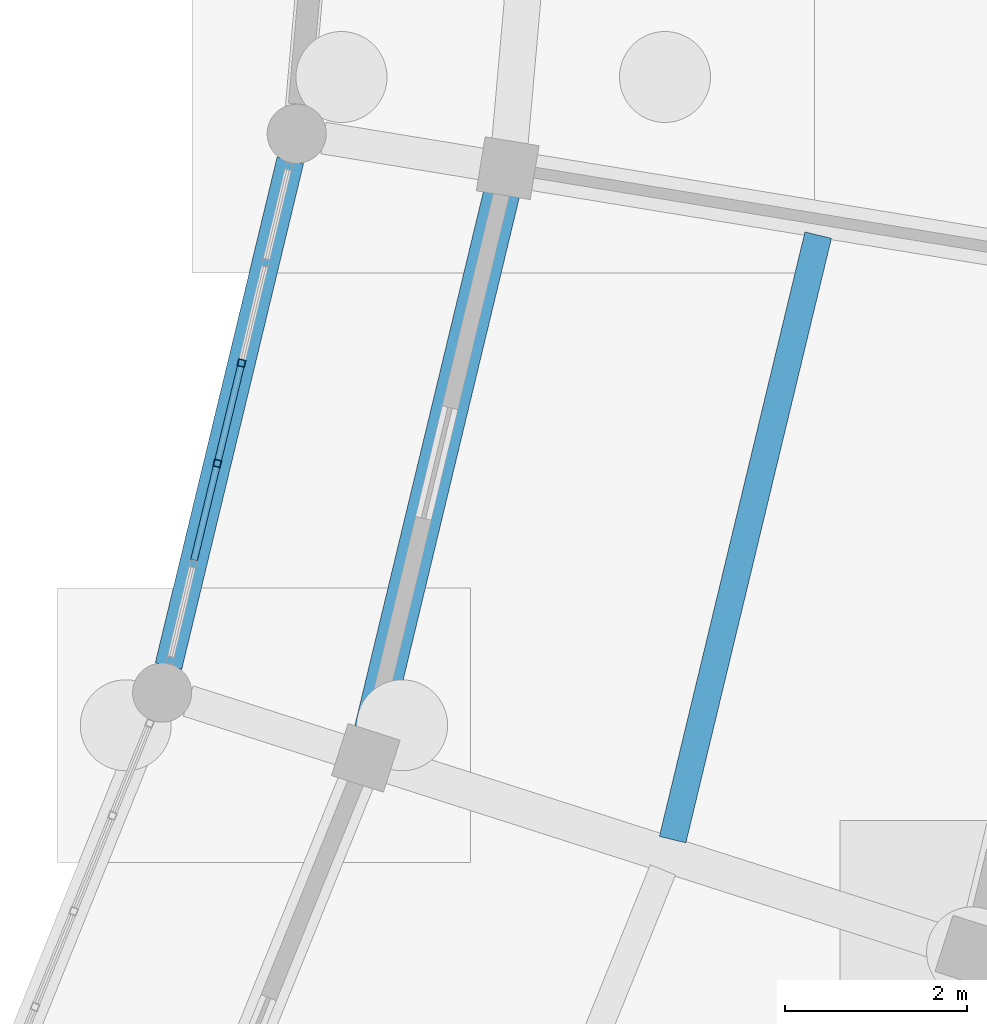
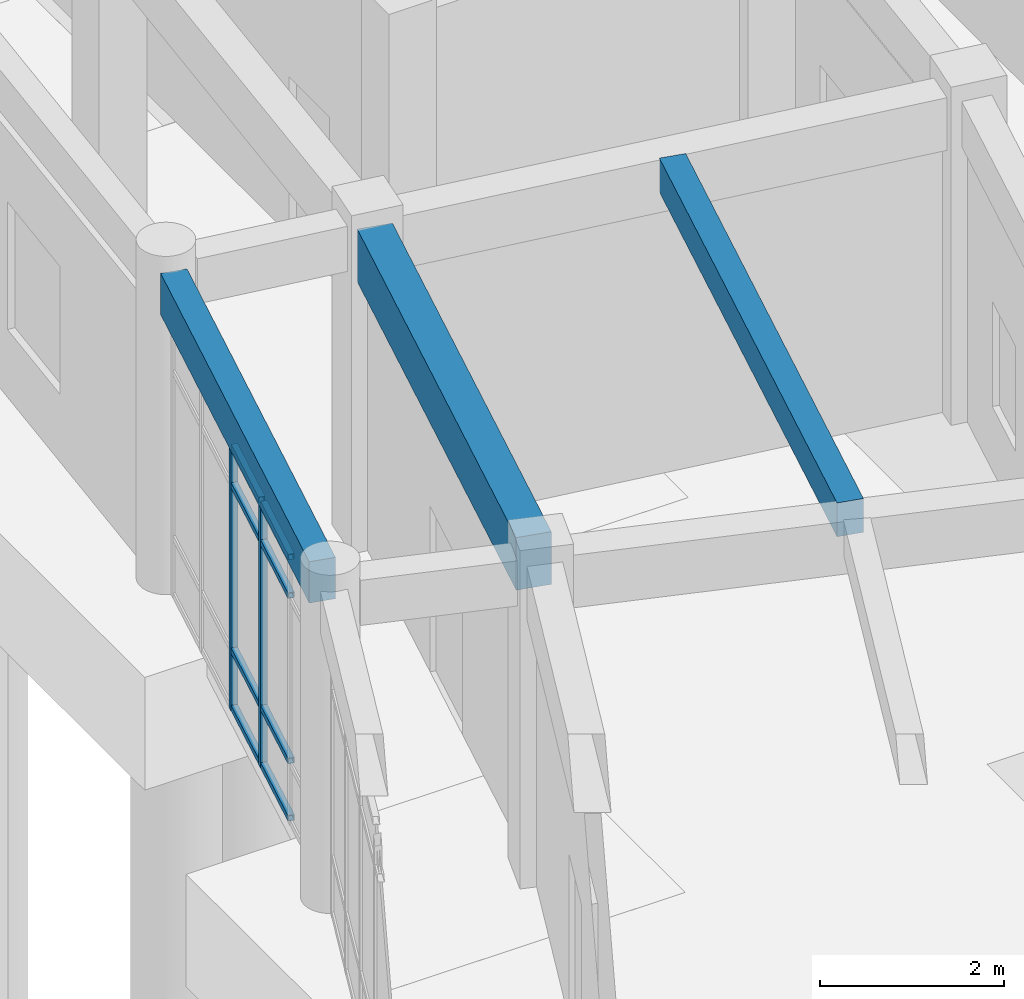
# One storey, part 85 of 153: 10 members, 3 beams, 1 element without a shape of its own.
"""IFC4 building model written with IfcOpenShell, lengths in metres."""

import ifcopenshell
import ifcopenshell.guid

model = None  # the IFC model being written
_history = None  # IfcOwnerHistory: only IFC2X3 demands one
_inside = {}  # id of a spatial element -> (the spatial element, [elements in it])
_under = {}  # id of a project, library or spatial element -> (it, [spatial elements below it])
_declared = {}  # id of a project -> (the project, [libraries it declares])
_typed = {}  # id of a type object -> (the type object, [elements of that type])
_made_of = {}  # id of a material, layer set ... -> (it, [elements and type objects made of it])


def new_model(schema):
    """Start an empty IFC model of exactly this schema.

    Asked for "IFC4X3", IfcOpenShell would pick the latest addendum, in which some entities
    have other attributes; the version numbers below select the first issue.
    IFC2X3 requires an IfcOwnerHistory on every rooted entity: one is made here for all.
    """
    global model, _history
    if schema == "IFC4X3":
        model = ifcopenshell.file(schema_version=(4, 3, 0, 0))
    else:
        model = ifcopenshell.file(schema=schema)
    _inside.clear()
    _under.clear()
    _declared.clear()
    _typed.clear()
    _made_of.clear()
    _history = None
    if model.schema == "IFC2X3":
        org = make("IfcOrganization", Name="unknown")
        user = make(
            "IfcPersonAndOrganization",
            ThePerson=make("IfcPerson", FamilyName="unknown"),
            TheOrganization=org,
        )
        app = make(
            "IfcApplication",
            ApplicationDeveloper=org,
            Version="unknown",
            ApplicationFullName="unknown",
            ApplicationIdentifier="unknown",
        )
        _history = make(
            "IfcOwnerHistory",
            OwningUser=user,
            OwningApplication=app,
            ChangeAction="ADDED",
            CreationDate=0,
        )
    return model


def make(cls, **values):
    """One entity of the class cls with the attributes given. An attribute that is None is left unset."""
    return model.create_entity(
        cls, **{name: value for name, value in values.items() if value is not None}
    )


def rooted(cls, **values):
    """An entity with a GlobalId (a new one), such as an element, a storey or a relation."""
    return make(cls, GlobalId=ifcopenshell.guid.new(), OwnerHistory=_history, **values)


def si_unit(unit_type, name, prefix=None):
    """IfcSIUnit, for example si_unit("LENGTHUNIT", "METRE", prefix="MILLI")."""
    return make("IfcSIUnit", UnitType=unit_type, Prefix=prefix, Name=name)


def assignment(units):
    """IfcUnitAssignment: the units of a project."""
    return None if units is None else make("IfcUnitAssignment", Units=units)


def point(xyz):
    """IfcCartesianPoint."""
    return None if xyz is None else make("IfcCartesianPoint", Coordinates=xyz)


def direction(xyz):
    """IfcDirection."""
    return None if xyz is None else make("IfcDirection", DirectionRatios=xyz)


def frame(location, z_axis=None, x_axis=None):
    """IfcAxis2Placement3D, a coordinate frame: its origin and axes. An axis left out is left unset."""
    return make(
        "IfcAxis2Placement3D",
        Location=point(location),
        Axis=direction(z_axis),
        RefDirection=direction(x_axis),
    )


def frame_2d(location, x_axis=None):
    """IfcAxis2Placement2D, a coordinate frame in the plane: its origin and x axis."""
    return make(
        "IfcAxis2Placement2D", Location=point(location), RefDirection=direction(x_axis)
    )


def origin():
    """The frame at (0, 0, 0) with its axes left unset."""
    return frame((0.0, 0.0, 0.0))


def origin_2d():
    """The frame at (0, 0) in the plane with its x axis left unset."""
    return frame_2d((0.0, 0.0))


def place(relative_to, where):
    """IfcLocalPlacement: puts the frame where relative to a parent placement (None: the world)."""
    return make(
        "IfcLocalPlacement", PlacementRelTo=relative_to, RelativePlacement=where
    )


def context(
    kind, dimensions, precision=None, world=None, true_north=None, identifier=None
):
    """IfcGeometricRepresentationContext, for example the 3D "Model" context."""
    return make(
        "IfcGeometricRepresentationContext",
        ContextIdentifier=identifier,
        ContextType=kind,
        CoordinateSpaceDimension=dimensions,
        Precision=precision,
        WorldCoordinateSystem=world,
        TrueNorth=true_north,
    )


def subcontext(parent, identifier, kind, view, scale=None):
    """IfcGeometricRepresentationSubContext, for example "Body" below "Model"."""
    return make(
        "IfcGeometricRepresentationSubContext",
        ContextIdentifier=identifier,
        ContextType=kind,
        ParentContext=parent,
        TargetScale=scale,
        TargetView=view,
    )


def project(units=None, contexts=None):
    """IfcProject with its units and contexts."""
    return rooted(
        "IfcProject",
        Name="project",
        RepresentationContexts=contexts,
        UnitsInContext=assignment(units),
    )


def spatial(cls, under=None, at=None, **own):
    """A site, building, storey or space (cls), placed at a placement, below another one or the project."""
    s = rooted(cls, ObjectPlacement=at, **own)
    if under is not None:
        _under.setdefault(under.id(), (under, []))[1].append(s)
    return s


def profile(cls, at=None, kind="AREA", **sizes):
    """A parametric profile (cls). Its sizes go by their IFC names, for example OverallWidth=200.0."""
    return make(cls, ProfileType=kind, Position=at, **sizes)


def rectangle(**sizes):
    """IfcRectangleProfileDef."""
    return profile("IfcRectangleProfileDef", **sizes)


def hollow_rectangle(**sizes):
    """IfcRectangleHollowProfileDef."""
    return profile("IfcRectangleHollowProfileDef", **sizes)


def extrude(swept, where, along, depth):
    """IfcExtrudedAreaSolid: the profile swept, set in the frame where, extruded along a direction by depth."""
    return make(
        "IfcExtrudedAreaSolid",
        SweptArea=swept,
        Position=where,
        ExtrudedDirection=direction(along),
        Depth=depth,
    )


def shape(context_of_items, identifier, shape_type, items):
    """IfcShapeRepresentation: the items that make up one representation, for example the "Body"."""
    return make(
        "IfcShapeRepresentation",
        ContextOfItems=context_of_items,
        RepresentationIdentifier=identifier,
        RepresentationType=shape_type,
        Items=items,
    )


def material(Name=None, Category=None):
    """IfcMaterial."""
    return make("IfcMaterial", Name=Name, Category=Category)


def material_profile(
    of_material, cross_section, Name=None, Category=None, Priority=None
):
    """IfcMaterialProfile: a cross section and its material."""
    return make(
        "IfcMaterialProfile",
        Name=Name,
        Material=of_material,
        Profile=cross_section,
        Priority=Priority,
        Category=Category,
    )


def profile_set(profiles, Name=None, composite=None):
    """IfcMaterialProfileSet."""
    return make(
        "IfcMaterialProfileSet",
        Name=Name,
        MaterialProfiles=profiles,
        CompositeProfile=composite,
    )


def made_of(thing, what):
    """Note that an element or type object is made of a material, layer set ...; save() writes the relation."""
    if what is not None:
        _made_of.setdefault(what.id(), (what, []))[1].append(thing)
    return thing


def type_object(cls, material=None, **own):
    """A type object (cls), such as IfcWallType, which elements share."""
    return made_of(rooted(cls, **own), material)


def element(
    cls,
    number,
    at=None,
    inside=None,
    cuts=None,
    type_object=None,
    material=None,
    context=None,
    identifier="Body",
    shape_type=None,
    held_by="IfcProductDefinitionShape",
    body=None,
    shapes=None,
    **own,
):
    """One element of the class cls, such as IfcWall. Its Tag is "e" and its number.

    at: its placement. inside: the storey or other place that contains it. cuts: it is an
    opening in that element (IfcRelVoidsElement). A single representation is given by context,
    identifier, shape_type and body (its items); several are given by shapes. held_by: the class
    of the entity that holds the representations. save() writes the other relations.
    """
    e = rooted(cls, Tag="e%d" % number, ObjectPlacement=at, **own)
    if body is not None:
        shapes = [shape(context, identifier, shape_type, body)]
    if shapes is not None:
        e.Representation = make(held_by, Representations=shapes)
    if inside is not None:
        _inside.setdefault(inside.id(), (inside, []))[1].append(e)
    if cuts is not None:
        rooted(
            "IfcRelVoidsElement", RelatingBuildingElement=cuts, RelatedOpeningElement=e
        )
    if type_object is not None:
        _typed.setdefault(type_object.id(), (type_object, []))[1].append(e)
    return made_of(e, material)


def aggregate(whole, parts):
    """IfcRelAggregates: a whole, such as a stair, and the parts it consists of."""
    return rooted("IfcRelAggregates", RelatingObject=whole, RelatedObjects=parts)


def save(model, path):
    """Write the relations noted so far, then the file.

    IfcRelAggregates (storeys below a building ...), IfcRelContainedInSpatialStructure (elements
    in a storey), IfcRelDefinesByType, IfcRelAssociatesMaterial and IfcRelDeclares: one each for
    every whole, place, type object, material and project.
    """
    for whole, parts in _under.values():
        aggregate(whole, parts)
    for where, things in _inside.values():
        rooted(
            "IfcRelContainedInSpatialStructure",
            RelatedElements=things,
            RelatingStructure=where,
        )
    for kind, things in _typed.values():
        rooted("IfcRelDefinesByType", RelatedObjects=things, RelatingType=kind)
    for what, things in _made_of.values():
        rooted("IfcRelAssociatesMaterial", RelatedObjects=things, RelatingMaterial=what)
    for by, libraries in _declared.values():
        rooted("IfcRelDeclares", RelatingContext=by, RelatedDefinitions=libraries)
    model.write(path)


model = new_model("IFC4")

# Units and contexts
model_context = context("Model", 3, precision=1e-05, world=origin(), true_north=direction((0.0, 1.0)))
body_context = subcontext(model_context, "Body", "Model", "MODEL_VIEW")
ifc_project = project(units=[si_unit("LENGTHUNIT", "METRE"), si_unit("AREAUNIT", "SQUARE_METRE"), si_unit("VOLUMEUNIT", "CUBIC_METRE"), si_unit("PLANEANGLEUNIT", "RADIAN"), si_unit("MASSUNIT", "GRAM", prefix="KILO")], contexts=[model_context])

# Site, building, storey
site_placement = place(None, origin())
site = spatial("IfcSite", under=ifc_project, at=site_placement, CompositionType="ELEMENT")
building_placement = place(site_placement, origin())
building = spatial("IfcBuilding", under=site, at=building_placement, Name="Celadon Cloister-Ring School", CompositionType="ELEMENT")
storey_placement = place(building_placement, origin())
storey = spatial("IfcBuildingStorey", under=building, at=storey_placement, Name="L00", CompositionType="ELEMENT", Elevation=0.0)

# Curtain wall, members
ifc_material_1 = material(Name="Aluminium EN AW-6063 T6", Category="aluminium")
curtain_wall_type = type_object("IfcCurtainWallType", Name="CW-01", PredefinedType="USERDEFINED", material=ifc_material_1)
curtain_wall_placement = place(storey_placement, origin())
curtain_wall = element("IfcCurtainWall", 1, at=curtain_wall_placement, inside=storey, type_object=curtain_wall_type, Name="Curtain Wall 0016", ObjectType="CURTAIN WALL", PredefinedType="USERDEFINED")
ifc_material_2 = material(Name="Aluminium EN AW-6063 T6", Category="aluminium")
ifc_material_profile_1 = material_profile(ifc_material_2, hollow_rectangle(XDim=0.080078125, YDim=0.080078125, WallThickness=0.00390625, at=origin_2d()), Name="RHS80X80X4")
ifc_profile_set_1 = profile_set([ifc_material_profile_1], Name="Aluminium EN AW-6063 T6")
member_type_1 = type_object("IfcMemberType", Name="CM-03", PredefinedType="MULLION", material=ifc_profile_set_1)
member_1_placement = place(storey_placement, frame((128.21875, 48.493408203125, 0.0), z_axis=(0.0, 0.0, 1.0), x_axis=(-0.972212485146, 0.234100157469, 0.0)))
member_1 = element("IfcMember", 2, at=member_1_placement, type_object=member_type_1, Name="CW-01 mullion 3", PredefinedType="MULLION", context=body_context, shape_type="SweptSolid", body=[
    extrude(hollow_rectangle(XDim=0.080078125, YDim=0.080078125, WallThickness=0.00390625, at=origin_2d()), origin(), (0.0, 0.0, 1.0), 3.550048828125),
])
member_2_placement = place(storey_placement, frame((128.484130859375, 49.595703125, 0.0), z_axis=(0.0, 0.0, 1.0), x_axis=(-0.972212485146, 0.234100157469, 0.0)))
member_2 = element("IfcMember", 3, at=member_2_placement, type_object=member_type_1, Name="CW-01 mullion 4", PredefinedType="MULLION", context=body_context, shape_type="SweptSolid", body=[
    extrude(hollow_rectangle(XDim=0.080078125, YDim=0.080078125, WallThickness=0.00390625, at=origin_2d()), origin(), (0.0, 0.0, 1.0), 3.550048828125),
])
ifc_material_3 = material(Name="Aluminium EN AW-6063 T6", Category="aluminium")
ifc_material_profile_2 = material_profile(ifc_material_3, hollow_rectangle(XDim=0.074951171875, YDim=0.074951171875, WallThickness=0.00390625, at=origin_2d()), Name="RHS75X75X4")
ifc_profile_set_2 = profile_set([ifc_material_profile_2], Name="Aluminium EN AW-6063 T6")
member_type_2 = type_object("IfcMemberType", Name="CTM-03", PredefinedType="USERDEFINED", material=ifc_profile_set_2)
member_3_placement = place(storey_placement, frame((127.962646484375, 47.43017578125, 0.03759765625), z_axis=(0.234240389333, 0.972178707854, 0.0), x_axis=(-0.972178707854, 0.234240389333, 0.0)))
member_3 = element("IfcMember", 4, at=member_3_placement, type_object=member_type_2, Name="CW-01 transom 2.1", ObjectType="TRANSOM", PredefinedType="USERDEFINED", context=body_context, shape_type="SweptSolid", body=[
    extrude(hollow_rectangle(XDim=0.074951171875, YDim=0.074951171875, WallThickness=0.00390625, at=origin_2d()), origin(), (0.0, 0.0, 1.0), 1.0537109375),
])
member_4_placement = place(storey_placement, frame((127.962646484375, 47.43017578125, 0.800048828125), z_axis=(0.234240389333, 0.972178707854, 0.0), x_axis=(-0.972178707854, 0.234240389333, 0.0)))
member_4 = element("IfcMember", 5, at=member_4_placement, type_object=member_type_2, Name="CW-01 transom 2.2", ObjectType="TRANSOM", PredefinedType="USERDEFINED", context=body_context, shape_type="SweptSolid", body=[
    extrude(hollow_rectangle(XDim=0.074951171875, YDim=0.074951171875, WallThickness=0.00390625, at=origin_2d()), origin(), (0.0, 0.0, 1.0), 1.0537109375),
])
member_5_placement = place(storey_placement, frame((127.962646484375, 47.43017578125, 3.0), z_axis=(0.234240389333, 0.972178707854, 0.0), x_axis=(-0.972178707854, 0.234240389333, 0.0)))
member_5 = element("IfcMember", 6, at=member_5_placement, type_object=member_type_2, Name="CW-01 transom 2.3", ObjectType="TRANSOM", PredefinedType="USERDEFINED", context=body_context, shape_type="SweptSolid", body=[
    extrude(hollow_rectangle(XDim=0.074951171875, YDim=0.074951171875, WallThickness=0.00390625, at=origin_2d()), origin(), (0.0, 0.0, 1.0), 1.0537109375),
])
member_6_placement = place(storey_placement, frame((127.962646484375, 47.43017578125, 3.512451171875), z_axis=(0.234240389333, 0.972178707854, 0.0), x_axis=(-0.972178707854, 0.234240389333, 0.0)))
member_6 = element("IfcMember", 7, at=member_6_placement, type_object=member_type_2, Name="CW-01 transom 2.4", ObjectType="TRANSOM", PredefinedType="USERDEFINED", context=body_context, shape_type="SweptSolid", body=[
    extrude(hollow_rectangle(XDim=0.074951171875, YDim=0.074951171875, WallThickness=0.00390625, at=origin_2d()), origin(), (0.0, 0.0, 1.0), 1.0537109375),
])
member_7_placement = place(storey_placement, frame((128.228271484375, 48.5322265625, 0.03759765625), z_axis=(0.234021392325, 0.972231447719, 0.0), x_axis=(-0.972231447719, 0.234021392325, 0.0)))
member_7 = element("IfcMember", 8, at=member_7_placement, type_object=member_type_2, Name="CW-01 transom 3.1", ObjectType="TRANSOM", PredefinedType="USERDEFINED", context=body_context, shape_type="SweptSolid", body=[
    extrude(hollow_rectangle(XDim=0.074951171875, YDim=0.074951171875, WallThickness=0.00390625, at=origin_2d()), origin(), (0.0, 0.0, 1.0), 1.0537109375),
])
member_8_placement = place(storey_placement, frame((128.228271484375, 48.5322265625, 0.800048828125), z_axis=(0.234021392325, 0.972231447719, 0.0), x_axis=(-0.972231447719, 0.234021392325, 0.0)))
member_8 = element("IfcMember", 9, at=member_8_placement, type_object=member_type_2, Name="CW-01 transom 3.2", ObjectType="TRANSOM", PredefinedType="USERDEFINED", context=body_context, shape_type="SweptSolid", body=[
    extrude(hollow_rectangle(XDim=0.074951171875, YDim=0.074951171875, WallThickness=0.00390625, at=origin_2d()), origin(), (0.0, 0.0, 1.0), 1.0537109375),
])
member_9_placement = place(storey_placement, frame((128.228271484375, 48.5322265625, 3.0), z_axis=(0.234021392325, 0.972231447719, 0.0), x_axis=(-0.972231447719, 0.234021392325, 0.0)))
member_9 = element("IfcMember", 10, at=member_9_placement, type_object=member_type_2, Name="CW-01 transom 3.3", ObjectType="TRANSOM", PredefinedType="USERDEFINED", context=body_context, shape_type="SweptSolid", body=[
    extrude(hollow_rectangle(XDim=0.074951171875, YDim=0.074951171875, WallThickness=0.00390625, at=origin_2d()), origin(), (0.0, 0.0, 1.0), 1.0537109375),
])
member_10_placement = place(storey_placement, frame((128.228271484375, 48.5322265625, 3.512451171875), z_axis=(0.234021392325, 0.972231447719, 0.0), x_axis=(-0.972231447719, 0.234021392325, 0.0)))
member_10 = element("IfcMember", 11, at=member_10_placement, type_object=member_type_2, Name="CW-01 transom 3.4", ObjectType="TRANSOM", PredefinedType="USERDEFINED", context=body_context, shape_type="SweptSolid", body=[
    extrude(hollow_rectangle(XDim=0.074951171875, YDim=0.074951171875, WallThickness=0.00390625, at=origin_2d()), origin(), (0.0, 0.0, 1.0), 1.0537109375),
])
aggregate(curtain_wall, [member_1, member_2, member_3, member_4, member_5, member_6, member_7, member_8, member_9, member_10])

# Beams
ifc_material_4 = material(Name="Concrete C35/45", Category="concrete")
ifc_material_profile_3 = material_profile(ifc_material_4, rectangle(XDim=0.39990234375, YDim=0.699951171875, at=origin_2d()), Name="RC400X700")
ifc_profile_set_3 = profile_set([ifc_material_profile_3], Name="Concrete C35/45")
beam_type_1 = type_object("IfcBeamType", Name="GT-03", PredefinedType="USERDEFINED", material=ifc_profile_set_3)
beam_1_placement = place(storey_placement, frame((129.9140625, 45.52294921875, 3.929931640625), z_axis=(0.234083879197, 0.972216404665, 0.0), x_axis=(-0.972216404665, 0.234083879197, 0.0)))
element("IfcBeam", 12, at=beam_1_placement, inside=storey, type_object=beam_type_1, Name="Beam 0166", ObjectType="GIRDER", PredefinedType="USERDEFINED", context=body_context, shape_type="SweptSolid", body=[
    extrude(rectangle(XDim=0.39990234375, YDim=0.699951171875, at=origin_2d()), origin(), (0.0, 0.0, 1.0), 6.116943359375),
])
ifc_material_5 = material(Name="Concrete C35/45", Category="concrete")
ifc_material_profile_4 = material_profile(ifc_material_5, rectangle(XDim=0.300048828125, YDim=0.449951171875, at=origin_2d()), Name="RC300X450")
ifc_profile_set_4 = profile_set([ifc_material_profile_4], Name="Concrete C35/45")
beam_type_2 = type_object("IfcBeamType", Name="JT-01", PredefinedType="JOIST", material=ifc_profile_set_4)
beam_2_placement = place(storey_placement, frame((133.222900390625, 44.35693359375, 4.054931640625), z_axis=(0.234105107491, 0.972211293211, 0.0), x_axis=(-0.972211293211, 0.234105107491, 0.0)))
element("IfcBeam", 13, at=beam_2_placement, inside=storey, type_object=beam_type_2, Name="Beam 0168", PredefinedType="JOIST", context=body_context, shape_type="SweptSolid", body=[
    extrude(rectangle(XDim=0.300048828125, YDim=0.449951171875, at=origin_2d()), origin(), (0.0, 0.0, 1.0), 6.8349609375),
])
ifc_material_6 = material(Name="Concrete C35/45", Category="concrete")
ifc_material_profile_5 = material_profile(ifc_material_6, rectangle(XDim=0.300048828125, YDim=0.550048828125, at=origin_2d()), Name="RC300X550")
ifc_profile_set_5 = profile_set([ifc_material_profile_5], Name="Concrete C35/45")
beam_type_3 = type_object("IfcBeamType", Name="SP-02", PredefinedType="SPANDREL", material=ifc_profile_set_5)
beam_3_placement = place(storey_placement, frame((127.681884765625, 46.264892578125, 4.0048828125), z_axis=(0.234188360334, 0.972191242444, 0.0), x_axis=(-0.972191242444, 0.234188360334, 0.0)))
element("IfcBeam", 14, at=beam_3_placement, inside=storey, type_object=beam_type_3, Name="Beam 0167", PredefinedType="SPANDREL", context=body_context, shape_type="SweptSolid", body=[
    extrude(rectangle(XDim=0.300048828125, YDim=0.550048828125, at=origin_2d()), origin(), (0.0, 0.0, 1.0), 5.718017578125),
])

save(model, "model.ifc")
